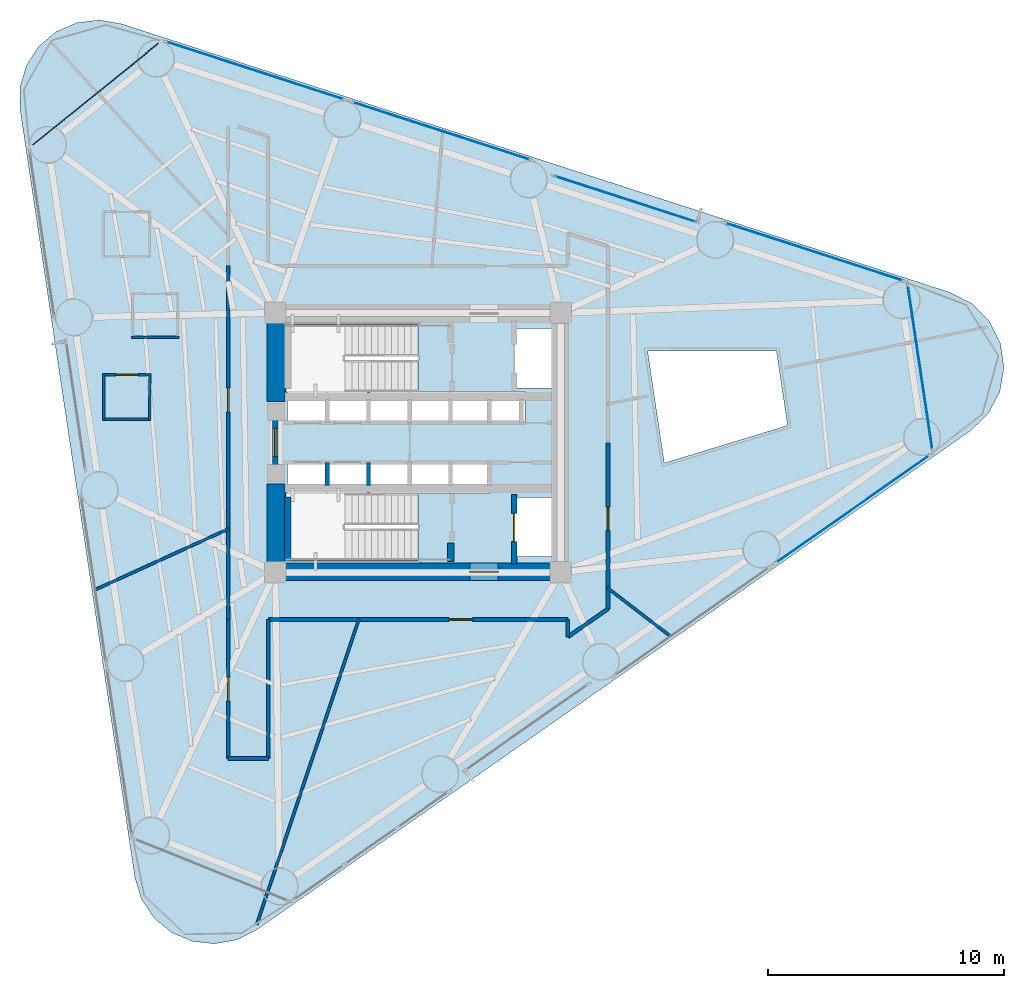
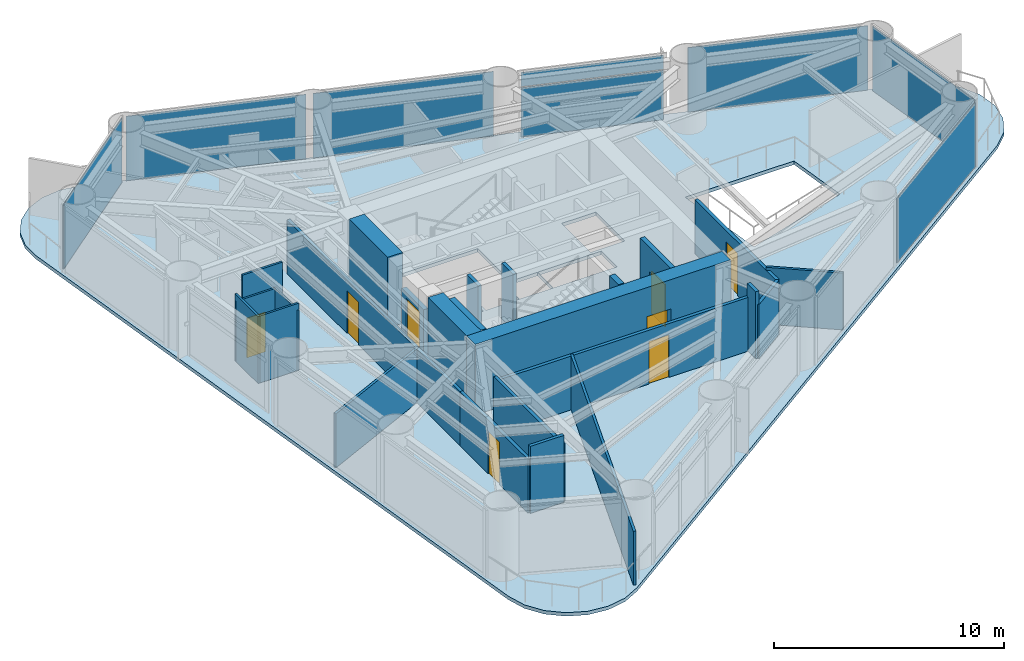
# One storey, part 5 of 9: 25 walls, 8 doors, 8 plates, 1 slab, 8 openings, 7 elements without a shape of their own.
"""IFC4 building model written with IfcOpenShell, lengths in metres."""

from ifc_helpers import new_model, si_unit, direction, frame, frame_2d, origin, origin_2d, place, context, subcontext, project, spatial, polyline, rectangle, outline, extrude, source, transform, mapped, material, layer, layer_set, type_object, element, fill, aggregate, save


model = new_model("IFC4")

# Units and contexts
model_context = context("Model", 3, precision=1e-05, world=origin(), true_north=direction((0.0, 1.0)))
body_context = subcontext(model_context, "Body", "Model", "MODEL_VIEW")
ifc_project = project(units=[si_unit("LENGTHUNIT", "METRE"), si_unit("AREAUNIT", "SQUARE_METRE"), si_unit("VOLUMEUNIT", "CUBIC_METRE"), si_unit("PLANEANGLEUNIT", "RADIAN"), si_unit("MASSUNIT", "GRAM", prefix="KILO")], contexts=[model_context])

# Site, building, storey
site_placement = place(None, origin())
site = spatial("IfcSite", under=ifc_project, at=site_placement, CompositionType="ELEMENT")
building_placement = place(site_placement, origin())
building = spatial("IfcBuilding", under=site, at=building_placement, Name="Yunling Apex Tower", CompositionType="ELEMENT")
storey_placement = place(building_placement, frame((0.0, 0.0, 62.300048828125)))
storey = spatial("IfcBuildingStorey", under=building, at=storey_placement, Name="L16", CompositionType="ELEMENT", Elevation=62.300048828125)

# Slab
ifc_material_1 = material(Name="Concrete C40", Category="concrete")
ifc_layer_1 = layer(ifc_material_1, 0.179931640625)
ifc_layer_set_1 = layer_set([ifc_layer_1], Name="Concrete C40")
slab_type = type_object("IfcSlabType", Name="SL-FLR-1", PredefinedType="FLOOR", material=ifc_layer_set_1)
slab_placement = place(storey_placement, frame((0.0, 0.0, -0.18505859375)))
element("IfcSlab", 1, at=slab_placement, inside=storey, type_object=slab_type, Name="L16 Composite Tower Floor Slab", PredefinedType="FLOOR", context=body_context, shape_type="SweptSolid", body=[
    extrude(outline(polyline([(-12.00732421875, -18.4326171875), (-11.730224609375, -19.349365234375), (-11.202392578125, -20.1484375), (-10.467529296875, -20.7626953125), (-9.587646484375, -21.14111328125), (-8.636474609375, -21.251708984375), (-7.693115234375, -21.08544921875), (-6.837158203125, -20.656005859375), (23.428955078125, 0.50537109375), (24.1796875, 1.231201171875), (24.6669921875, 2.155029296875), (24.842041015625, 3.184814453125), (24.687744140625, 4.217529296875), (24.21923828125, 5.15087890625), (23.483154296875, 5.89208984375), (22.552978515625, 6.36669921875), (-12.57763671875, 17.75439453125), (-13.521728515625, 17.914794921875), (-14.472412109375, 17.798095703125), (-15.349853515625, 17.414306640625), (-16.080810546875, 16.795166015625), (-16.603515625, 15.992919921875), (-16.875, 15.07421875), (-16.871826171875, 14.116455078125), (-12.00732421875, -18.4326171875)]), holes=[polyline([(15.192138671875, 3.88818359375), (15.6650390625, 0.723388671875), (10.442626953125, -0.865966796875), (9.733154296875, 3.88134765625), (15.192138671875, 3.88818359375)]), polyline([(5.81005859375, -2.320068359375), (5.81005859375, -4.840087890625), (4.090087890625, -4.840087890625), (4.090087890625, -2.320068359375), (5.81005859375, -2.320068359375)]), polyline([(5.81005859375, 4.840087890625), (5.81005859375, 2.320068359375), (4.090087890625, 2.320068359375), (4.090087890625, 4.840087890625), (5.81005859375, 4.840087890625)]), polyline([(4.534912109375, 0.794921875), (1.364990234375, 0.794921875), (1.364990234375, 2.1650390625), (4.534912109375, 2.1650390625), (4.534912109375, 0.794921875)]), polyline([(3.034912109375, -0.794921875), (3.034912109375, -2.1650390625), (1.364990234375, -2.1650390625), (1.364990234375, -0.794921875), (3.034912109375, -0.794921875)]), polyline([(-3.864990234375, -0.794921875), (-3.864990234375, -2.139892578125), (-3.8349609375, -2.139892578125), (-3.8349609375, -0.794921875), (-2.1650390625, -0.794921875), (-2.1650390625, -2.139892578125), (-2.034912109375, -2.139892578125), (-2.034912109375, -0.794921875), (-0.364990234375, -0.794921875), (-0.364990234375, -2.139892578125), (-0.3349609375, -2.139892578125), (-0.3349609375, -0.794921875), (1.3349609375, -0.794921875), (1.3349609375, -2.1650390625), (-0.010009765625, -2.1650390625), (-0.010009765625, -5.010009765625), (-5.60009765625, -5.010009765625), (-5.60009765625, -2.139892578125), (-5.534912109375, -2.139892578125), (-5.534912109375, -0.794921875), (-3.864990234375, -0.794921875)]), polyline([(-5.60009765625, 2.139892578125), (-5.60009765625, 5.010009765625), (-0.010009765625, 5.010009765625), (-0.010009765625, 2.1650390625), (1.3349609375, 2.1650390625), (1.3349609375, 0.794921875), (-0.3349609375, 0.794921875), (-0.3349609375, 2.139892578125), (-0.364990234375, 2.139892578125), (-0.364990234375, 0.794921875), (-2.034912109375, 0.794921875), (-2.034912109375, 2.139892578125), (-2.1650390625, 2.139892578125), (-2.1650390625, 0.794921875), (-3.8349609375, 0.794921875), (-3.8349609375, 2.139892578125), (-3.864990234375, 2.139892578125), (-3.864990234375, 0.794921875), (-5.534912109375, 0.794921875), (-5.534912109375, 2.139892578125), (-5.60009765625, 2.139892578125)])]), origin(), (0.0, 0.0, 1.0), 0.18505859375),
])

# Curtain wall, plates
ifc_material_2 = material(Name="Bronze anodised aluminium", Category="aluminium")
ifc_layer_2 = layer(ifc_material_2, 0.260009765625)
ifc_layer_set_2 = layer_set([ifc_layer_2], Name="Bronze anodised aluminium")
curtain_wall_type = type_object("IfcCurtainWallType", Name="CW-SYS-2", PredefinedType="NOTDEFINED", material=ifc_layer_set_2)
curtain_wall_1_placement = place(storey_placement, origin())
curtain_wall_1 = element("IfcCurtainWall", 2, at=curtain_wall_1_placement, inside=storey, type_object=curtain_wall_type, Name="CW-L16-F2-B2", PredefinedType="NOTDEFINED")
ifc_material_3 = material(Name="Bronze tinted low-E glass", Category="glass")
ifc_layer_3 = layer(ifc_material_3, 0.033935546875)
ifc_layer_set_3 = layer_set([ifc_layer_3], Name="Bronze tinted low-E glass")
plate_type = type_object("IfcPlateType", Name="CW-PNL-2", PredefinedType="CURTAIN_PANEL", material=ifc_layer_set_3)
shared_shape_1 = source(origin(), body_context, "Body", "SweptSolid", [
    extrude(rectangle(XDim=6.315673828125, YDim=0.033935546875, at=origin_2d()), origin(), (0.0, 0.0, 1.0), 2.60400390625),
])
plate_1_placement = place(storey_placement, frame((8.7919921875, 10.32275390625, 0.07666015625), z_axis=(0.0, 0.0, 1.0), x_axis=(-0.951272336999, 0.308351975608, 0.0)))
plate_1 = element("IfcPlate", 3, at=plate_1_placement, type_object=plate_type, Name="CW-SYS-2 panel 1.1", PredefinedType="CURTAIN_PANEL", context=body_context, shape_type="MappedRepresentation", body=[
    mapped(shared_shape_1, transform((0.0, 0.0, 0.0), scale=1.0)),
])
shared_shape_2 = source(origin(), body_context, "Body", "SweptSolid", [
    extrude(rectangle(XDim=6.315673828125, YDim=0.033935546875, at=origin_2d()), origin(), (0.0, 0.0, 1.0), 0.739013671875),
])
plate_2_placement = place(storey_placement, frame((8.7919921875, 10.32275390625, 2.7490234375), z_axis=(0.0, 0.0, 1.0), x_axis=(-0.951272336999, 0.308351975608, 0.0)))
plate_2 = element("IfcPlate", 4, at=plate_2_placement, type_object=plate_type, Name="CW-SYS-2 panel 1.2", PredefinedType="CURTAIN_PANEL", context=body_context, shape_type="MappedRepresentation", body=[
    mapped(shared_shape_2, transform((0.0, 0.0, 0.0), scale=1.0)),
])
aggregate(curtain_wall_1, [plate_1, plate_2])

# Curtain wall, plate
curtain_wall_2_placement = place(storey_placement, origin())
curtain_wall_2 = element("IfcCurtainWall", 5, at=curtain_wall_2_placement, inside=storey, type_object=curtain_wall_type, Name="CW-L16-F1-B4", PredefinedType="NOTDEFINED")
shared_shape_3 = source(origin(), body_context, "Body", "SweptSolid", [
    extrude(rectangle(XDim=7.995849609375, YDim=0.033935546875, at=origin_2d()), origin(), (0.0, 0.0, 1.0), 3.41162109375),
])
plate_3_placement = place(storey_placement, frame((18.430419921875, -2.818603515625, 0.07666015625), z_axis=(0.0, 0.0, 1.0), x_axis=(0.819552319691, 0.573004358875, 0.0)))
plate_3 = element("IfcPlate", 6, at=plate_3_placement, type_object=plate_type, Name="CW-SYS-2 panel 1.1", PredefinedType="CURTAIN_PANEL", context=body_context, shape_type="MappedRepresentation", body=[
    mapped(shared_shape_3, transform((0.0, 0.0, 0.0), scale=1.0)),
])
aggregate(curtain_wall_2, [plate_3])

curtain_wall_3_placement = place(storey_placement, origin())
curtain_wall_3 = element("IfcCurtainWall", 7, at=curtain_wall_3_placement, inside=storey, type_object=curtain_wall_type, Name="CW-L16-F2-B1", PredefinedType="NOTDEFINED")
plate_4_placement = place(storey_placement, frame((16.801025390625, 8.083984375, 0.07666015625), z_axis=(0.0, 0.0, 1.0), x_axis=(-0.951270593784, 0.30835735341, 0.0)))
plate_4 = element("IfcPlate", 8, at=plate_4_placement, type_object=plate_type, Name="CW-SYS-2 panel 1.1", PredefinedType="CURTAIN_PANEL", context=body_context, shape_type="MappedRepresentation", body=[
    mapped(shared_shape_3, transform((0.0, 0.0, 0.0), scale=1.0)),
])
aggregate(curtain_wall_3, [plate_4])

curtain_wall_4_placement = place(storey_placement, origin())
curtain_wall_4 = element("IfcCurtainWall", 9, at=curtain_wall_4_placement, inside=storey, type_object=curtain_wall_type, Name="CW-L16-F2-B3", PredefinedType="NOTDEFINED")
plate_5_placement = place(storey_placement, frame((0.9921875, 13.20849609375, 0.07666015625), z_axis=(0.0, 0.0, 1.0), x_axis=(-0.951266994272, 0.308368457544, 0.0)))
plate_5 = element("IfcPlate", 10, at=plate_5_placement, type_object=plate_type, Name="CW-SYS-2 panel 1.1", PredefinedType="CURTAIN_PANEL", context=body_context, shape_type="MappedRepresentation", body=[
    mapped(shared_shape_3, transform((0.0, 0.0, 0.0), scale=1.0)),
])
aggregate(curtain_wall_4, [plate_5])

curtain_wall_5_placement = place(storey_placement, origin())
curtain_wall_5 = element("IfcCurtainWall", 11, at=curtain_wall_5_placement, inside=storey, type_object=curtain_wall_type, Name="CW-L16-F2-B4", PredefinedType="NOTDEFINED")
plate_6_placement = place(storey_placement, frame((-6.912109375, 15.770751953125, 0.07666015625), z_axis=(0.0, 0.0, 1.0), x_axis=(-0.951270593784, 0.30835735341, 0.0)))
plate_6 = element("IfcPlate", 12, at=plate_6_placement, type_object=plate_type, Name="CW-SYS-2 panel 1.1", PredefinedType="CURTAIN_PANEL", context=body_context, shape_type="MappedRepresentation", body=[
    mapped(shared_shape_3, transform((0.0, 0.0, 0.0), scale=1.0)),
])
aggregate(curtain_wall_5, [plate_6])

curtain_wall_6_placement = place(storey_placement, origin())
curtain_wall_6 = element("IfcCurtainWall", 13, at=curtain_wall_6_placement, inside=storey, type_object=curtain_wall_type, Name="CW-L16-CRN1", PredefinedType="NOTDEFINED")
shared_shape_4 = source(origin(), body_context, "Body", "SweptSolid", [
    extrude(rectangle(XDim=7.132080078125, YDim=0.033935546875, at=origin_2d()), origin(), (0.0, 0.0, 1.0), 3.41162109375),
])
plate_7_placement = place(storey_placement, frame((21.28564453125, 3.18115234375, 0.07666015625), z_axis=(0.0, 0.0, 1.0), x_axis=(-0.147798115278, 0.989017551472, 0.0)))
plate_7 = element("IfcPlate", 14, at=plate_7_placement, type_object=plate_type, Name="CW-SYS-2 panel 1.1", PredefinedType="CURTAIN_PANEL", context=body_context, shape_type="MappedRepresentation", body=[
    mapped(shared_shape_4, transform((0.0, 0.0, 0.0), scale=1.0)),
])
aggregate(curtain_wall_6, [plate_7])

curtain_wall_7_placement = place(storey_placement, origin())
curtain_wall_7 = element("IfcCurtainWall", 15, at=curtain_wall_7_placement, inside=storey, type_object=curtain_wall_type, Name="CW-L16-CRN2", PredefinedType="NOTDEFINED")
shared_shape_5 = source(origin(), body_context, "Body", "SweptSolid", [
    extrude(rectangle(XDim=7.043212890625, YDim=0.033935546875, at=origin_2d()), origin(), (0.0, 0.0, 1.0), 3.41162109375),
])
plate_8_placement = place(storey_placement, frame((-13.67041015625, 14.772705078125, 0.07666015625), z_axis=(0.0, 0.0, 1.0), x_axis=(-0.778148820322, -0.628079941911, 0.0)))
plate_8 = element("IfcPlate", 16, at=plate_8_placement, type_object=plate_type, Name="CW-SYS-2 panel 1.1", PredefinedType="CURTAIN_PANEL", context=body_context, shape_type="MappedRepresentation", body=[
    mapped(shared_shape_5, transform((0.0, 0.0, 0.0), scale=1.0)),
])
aggregate(curtain_wall_7, [plate_8])

# Wall, opening, door
ifc_material_4 = material(Name="Concrete C60", Category="concrete")
ifc_layer_4 = layer(ifc_material_4, 0.75)
ifc_layer_set_4 = layer_set([ifc_layer_4], Name="Concrete C60")
wall_type_1 = type_object("IfcWallType", Name="WL-COR-1", PredefinedType="SHEAR", material=ifc_layer_set_4)
wall_1_placement = place(storey_placement, frame((-6.39990234375, -5.47509765625, 0.0), z_axis=(0.0, 0.0, 1.0), x_axis=(1.0, 0.0, 0.0)))
wall_1 = element("IfcWall", 17, at=wall_1_placement, inside=storey, type_object=wall_type_1, Name="L16 South Core Shear Wall", PredefinedType="SHEAR", context=body_context, shape_type="SweptSolid", body=[
    extrude(rectangle(XDim=12.7998046875, YDim=0.75, at=frame_2d((6.39990234375, 0.0))), origin(), (0.0, 0.0, 1.0), 3.75),
])
opening_1_placement = place(wall_1_placement, frame((8.60009765625, 0.0, 0.0)))
opening_1 = element("IfcOpeningElement", 18, at=opening_1_placement, cuts=wall_1, Name="Opening DR-FFL-1", PredefinedType="OPENING", context=body_context, shape_type="SweptSolid", body=[
    extrude(rectangle(XDim=1.199951171875, YDim=2.199951171875, at=frame_2d((0.60009765625, 1.10009765625))), frame((0.0, 0.385009765625, 0.0), z_axis=(0.0, -1.0, 0.0), x_axis=(1.0, 0.0, 0.0)), (0.0, 0.0, 1.0), 0.77001953125),
])
ifc_material_5 = material(Name="Steel Q355B", Category="steel")
door_type_1 = type_object("IfcDoorType", Name="DR-FFL-1", OperationType="NOTDEFINED", PredefinedType="DOOR", material=ifc_material_5)
door_1_placement = place(opening_1_placement, origin())
door_1 = element("IfcDoor", 19, at=door_1_placement, inside=storey, type_object=door_type_1, Name="L16 South Firefighting Lobby Door", OperationType="SINGLE_SWING_RIGHT", OverallHeight=2.199951171875, OverallWidth=1.199951171875, PredefinedType="DOOR", context=body_context, shape_type="SweptSolid", body=[
    extrude(rectangle(XDim=1.199951171875, YDim=2.199951171875, at=frame_2d((0.60009765625, 1.10009765625))), frame((0.0, 0.02490234375, 0.0), z_axis=(0.0, -1.0, 0.0), x_axis=(1.0, 0.0, 0.0)), (0.0, 0.0, 1.0), 0.050048828125),
])
fill(opening_1, door_1)

# Walls
for number, where, z_axis, x_axis, name in (
    (20, (-6.02490234375, -5.10009765625, 0.0), (0.0, 0.0, 1.0), (0.0, 1.0, 0.0), "L16 West-South Core Shear Wall"),
    (21, (-6.02490234375, 1.75, 0.0), (0.0, 0.0, 1.0), (0.0, 1.0, 0.0), "L16 West-North Core Shear Wall"),
):
    element("IfcWall", number, at=place(storey_placement, frame(where, z_axis=z_axis, x_axis=x_axis)), inside=storey, type_object=wall_type_1, Name=name, PredefinedType="SHEAR", context=body_context, shape_type="SweptSolid", body=[
        extrude(rectangle(XDim=3.35009765625, YDim=0.75, at=frame_2d((1.675048828125, 0.0))), origin(), (0.0, 0.0, 1.0), 3.75),
    ])
ifc_layer_5 = layer(ifc_material_1, 0.280029296875)
ifc_layer_set_5 = layer_set([ifc_layer_5], Name="Concrete C40")
wall_type_2 = type_object("IfcWallType", Name="WL-COR-8", PredefinedType="SHEAR", material=ifc_layer_set_5)
wall_2_placement = place(storey_placement, frame((-5.52001953125, -5.050048828125, 0.0), z_axis=(0.0, 0.0, 1.0), x_axis=(0.0, 1.0, 0.0)))
element("IfcWall", 22, at=wall_2_placement, inside=storey, type_object=wall_type_2, Name="L16 ST-2 West Landing Bearing Wall", PredefinedType="SHEAR", context=body_context, shape_type="SweptSolid", body=[
    extrude(rectangle(XDim=2.75, YDim=0.280029296875, at=frame_2d((1.375, 0.0))), origin(), (0.0, 0.0, 1.0), 3.75),
])
wall_3_placement = place(storey_placement, frame((1.3798828125, -5.050048828125, 0.0), z_axis=(0.0, 0.0, 1.0), x_axis=(0.0, 1.0, 0.0)))
element("IfcWall", 23, at=wall_3_placement, inside=storey, type_object=wall_type_2, Name="L16 ST-2 East Landing Bearing Pier", PredefinedType="SHEAR", context=body_context, shape_type="SweptSolid", body=[
    extrude(rectangle(XDim=0.800048828125, YDim=0.280029296875, at=frame_2d((0.39990234375, 0.0))), origin(), (0.0, 0.0, 1.0), 3.75),
])

# Wall, opening, door
ifc_material_6 = material(Name="Gypsum board acoustic partition")
ifc_layer_6 = layer(ifc_material_6, 0.159912109375)
ifc_layer_set_6 = layer_set([ifc_layer_6], Name="Gypsum board acoustic partition")
wall_type_3 = type_object("IfcWallType", Name="WL-PRT-1", PredefinedType="PARTITIONING", material=ifc_layer_set_6)
wall_4_placement = place(storey_placement, frame((-8.050048828125, -13.39990234375, 0.0), z_axis=(0.0, 0.0, 1.0), x_axis=(0.0, 1.0, 0.0)))
wall_4 = element("IfcWall", 24, at=wall_4_placement, inside=storey, type_object=wall_type_3, Name="WL-CORR-L16-01", PredefinedType="PARTITIONING", context=body_context, shape_type="SweptSolid", body=[
    extrude(rectangle(XDim=5.89990234375, YDim=0.159912109375, at=frame_2d((2.949951171875, 0.0))), origin(), (0.0, 0.0, 1.0), 2.849853515625),
])
opening_2_placement = place(wall_4_placement, frame((2.449951171875, 0.0, 0.0)))
opening_2 = element("IfcOpeningElement", 25, at=opening_2_placement, cuts=wall_4, Name="Opening DR-OFF-1", PredefinedType="OPENING", context=body_context, shape_type="SweptSolid", body=[
    extrude(rectangle(XDim=1.0, YDim=2.25, at=frame_2d((0.5, 1.125))), frame((0.0, 0.08984375, 0.0), z_axis=(0.0, -1.0, 0.0), x_axis=(1.0, 0.0, 0.0)), (0.0, 0.0, 1.0), 0.179931640625),
])
door_type_2 = type_object("IfcDoorType", Name="DR-OFF-1", OperationType="NOTDEFINED", PredefinedType="DOOR", material=ifc_material_2)
door_2_placement = place(opening_2_placement, origin())
door_2 = element("IfcDoor", 26, at=door_2_placement, inside=storey, type_object=door_type_2, Name="L16 Conference Meeting Room Door", OperationType="SINGLE_SWING_RIGHT", OverallHeight=2.25, OverallWidth=1.0, PredefinedType="DOOR", context=body_context, shape_type="SweptSolid", body=[
    extrude(rectangle(XDim=1.0, YDim=2.25, at=frame_2d((0.5, 1.125))), frame((0.0, 0.02490234375, 0.0), z_axis=(0.0, -1.0, 0.0), x_axis=(1.0, 0.0, 0.0)), (0.0, 0.0, 1.0), 0.050048828125),
])
fill(opening_2, door_2)

wall_5_placement = place(storey_placement, frame((-8.050048828125, -7.5, 0.0), z_axis=(0.0, 0.0, 1.0), x_axis=(0.0, 1.0, 0.0)))
wall_5 = element("IfcWall", 27, at=wall_5_placement, inside=storey, type_object=wall_type_3, Name="WL-CORR-L16-02", PredefinedType="PARTITIONING", context=body_context, shape_type="SweptSolid", body=[
    extrude(rectangle(XDim=15.0, YDim=0.159912109375, at=frame_2d((7.5, 0.0))), origin(), (0.0, 0.0, 1.0), 2.849853515625),
])
opening_3_placement = place(wall_5_placement, frame((8.805908203125, 0.0, 0.0)))
opening_3 = element("IfcOpeningElement", 28, at=opening_3_placement, cuts=wall_5, Name="Opening DR-OFF-1", PredefinedType="OPENING", context=body_context, shape_type="SweptSolid", body=[
    extrude(rectangle(XDim=1.0, YDim=2.25, at=frame_2d((0.5, 1.125))), frame((0.0, 0.08984375, 0.0), z_axis=(0.0, -1.0, 0.0), x_axis=(1.0, 0.0, 0.0)), (0.0, 0.0, 1.0), 0.179931640625),
])
door_3_placement = place(opening_3_placement, origin())
door_3 = element("IfcDoor", 29, at=door_3_placement, inside=storey, type_object=door_type_2, Name="L16 Service Foyer Lounge Door", OperationType="SINGLE_SWING_LEFT", OverallHeight=2.25, OverallWidth=1.0, PredefinedType="DOOR", context=body_context, shape_type="SweptSolid", body=[
    extrude(rectangle(XDim=1.0, YDim=2.25, at=frame_2d((0.5, 1.125))), frame((0.0, 0.02490234375, 0.0), z_axis=(0.0, -1.0, 0.0), x_axis=(1.0, 0.0, 0.0)), (0.0, 0.0, 1.0), 0.050048828125),
])
fill(opening_3, door_3)

wall_6_placement = place(storey_placement, frame((8.050048828125, -0.02001953125, 0.0), z_axis=(0.0, 0.0, 1.0), x_axis=(0.0, -1.0, 0.0)))
wall_6 = element("IfcWall", 30, at=wall_6_placement, inside=storey, type_object=wall_type_3, Name="WL-CORR-L16-12", PredefinedType="PARTITIONING", context=body_context, shape_type="SweptSolid", body=[
    extrude(rectangle(XDim=7.0302734375, YDim=0.159912109375, at=frame_2d((3.51513671875, 0.0))), origin(), (0.0, 0.0, 1.0), 2.849853515625),
])
opening_4_placement = place(wall_6_placement, frame((2.70458984375, 0.0, 0.0)))
opening_4 = element("IfcOpeningElement", 31, at=opening_4_placement, cuts=wall_6, Name="Opening DR-OFF-1", PredefinedType="OPENING", context=body_context, shape_type="SweptSolid", body=[
    extrude(rectangle(XDim=1.0, YDim=2.25, at=frame_2d((0.5, 1.125))), frame((0.0, 0.08984375, 0.0), z_axis=(0.0, -1.0, 0.0), x_axis=(1.0, 0.0, 0.0)), (0.0, 0.0, 1.0), 0.179931640625),
])
door_4_placement = place(opening_4_placement, origin())
door_4 = element("IfcDoor", 32, at=door_4_placement, inside=storey, type_object=door_type_2, Name="L16 Conference Meeting Room Door", OperationType="SINGLE_SWING_RIGHT", OverallHeight=2.25, OverallWidth=1.0, PredefinedType="DOOR", context=body_context, shape_type="SweptSolid", body=[
    extrude(rectangle(XDim=1.0, YDim=2.25, at=frame_2d((0.5, 1.125))), frame((0.0, 0.02490234375, 0.0), z_axis=(0.0, -1.0, 0.0), x_axis=(1.0, 0.0, 0.0)), (0.0, 0.0, 1.0), 0.050048828125),
])
fill(opening_4, door_4)

# Walls
wall_7_placement = place(storey_placement, frame((8.050048828125, -7.05029296875, 0.0), z_axis=(0.0, 0.0, 1.0), x_axis=(-0.819513816746, -0.573059424635, 0.0)))
element("IfcWall", 33, at=wall_7_placement, inside=storey, type_object=wall_type_3, Name="WL-CORR-L16-13", PredefinedType="PARTITIONING", context=body_context, shape_type="SweptSolid", body=[
    extrude(rectangle(XDim=2.074462890625, YDim=0.159912109375, at=frame_2d((1.037109375, 0.0))), origin(), (0.0, 0.0, 1.0), 2.849853515625),
])
wall_8_placement = place(storey_placement, frame((6.35009765625, -8.239013671875, 0.0), z_axis=(0.0, 0.0, 1.0), x_axis=(0.0, 1.0, 0.0)))
element("IfcWall", 34, at=wall_8_placement, inside=storey, type_object=wall_type_3, Name="WL-CORR-L16-14", PredefinedType="PARTITIONING", context=body_context, shape_type="SweptSolid", body=[
    extrude(rectangle(XDim=0.739013671875, YDim=0.159912109375, at=frame_2d((0.36962890625, 0.0))), origin(), (0.0, 0.0, 1.0), 3.544921875),
])

# Wall, opening, door
wall_9_placement = place(storey_placement, frame((6.35009765625, -7.5, 0.0), z_axis=(0.0, 0.0, 1.0), x_axis=(-1.0, 0.0, 0.0)))
wall_9 = element("IfcWall", 35, at=wall_9_placement, inside=storey, type_object=wall_type_3, Name="WL-CORR-L16-15", PredefinedType="PARTITIONING", context=body_context, shape_type="SweptSolid", body=[
    extrude(rectangle(XDim=12.7001953125, YDim=0.159912109375, at=frame_2d((6.35009765625, 0.0))), origin(), (0.0, 0.0, 1.0), 2.849853515625),
])
opening_5_placement = place(wall_9_placement, frame((4.03515625, 0.0, 0.0)))
opening_5 = element("IfcOpeningElement", 36, at=opening_5_placement, cuts=wall_9, Name="Opening DR-OFF-1", PredefinedType="OPENING", context=body_context, shape_type="SweptSolid", body=[
    extrude(rectangle(XDim=1.0, YDim=2.25, at=frame_2d((0.5, 1.125))), frame((0.0, 0.08984375, 0.0), z_axis=(0.0, -1.0, 0.0), x_axis=(1.0, 0.0, 0.0)), (0.0, 0.0, 1.0), 0.179931640625),
])
door_5_placement = place(opening_5_placement, origin())
door_5 = element("IfcDoor", 37, at=door_5_placement, inside=storey, type_object=door_type_2, Name="L16 Conference Meeting Room Door", OperationType="SINGLE_SWING_LEFT", OverallHeight=2.25, OverallWidth=1.0, PredefinedType="DOOR", context=body_context, shape_type="SweptSolid", body=[
    extrude(rectangle(XDim=1.0, YDim=2.25, at=frame_2d((0.5, 1.125))), frame((0.0, 0.02490234375, 0.0), z_axis=(0.0, -1.0, 0.0), x_axis=(1.0, 0.0, 0.0)), (0.0, 0.0, 1.0), 0.050048828125),
])
fill(opening_5, door_5)

# Walls
wall_10_placement = place(storey_placement, frame((-6.35009765625, -7.5, 0.0), z_axis=(0.0, 0.0, 1.0), x_axis=(0.0, -1.0, 0.0)))
element("IfcWall", 38, at=wall_10_placement, inside=storey, type_object=wall_type_3, Name="WL-CORR-L16-16", PredefinedType="PARTITIONING", context=body_context, shape_type="SweptSolid", body=[
    extrude(rectangle(XDim=5.89990234375, YDim=0.159912109375, at=frame_2d((2.949951171875, 0.0))), origin(), (0.0, 0.0, 1.0), 3.050048828125),
])
wall_11_placement = place(storey_placement, frame((-6.35009765625, -13.39990234375, 0.0), z_axis=(0.0, 0.0, 1.0), x_axis=(-1.0, 0.0, 0.0)))
element("IfcWall", 39, at=wall_11_placement, inside=storey, type_object=wall_type_3, Name="WL-CORR-L16-17", PredefinedType="PARTITIONING", context=body_context, shape_type="SweptSolid", body=[
    extrude(rectangle(XDim=1.699951171875, YDim=0.159912109375, at=frame_2d((0.85009765625, 0.0))), origin(), (0.0, 0.0, 1.0), 3.544921875),
])
ifc_layer_7 = layer(ifc_material_6, 0.1201171875)
ifc_layer_set_7 = layer_set([ifc_layer_7], Name="Gypsum board acoustic partition")
wall_type_4 = type_object("IfcWallType", Name="WL-PRT-3", PredefinedType="PARTITIONING", material=ifc_layer_set_7)
wall_12_placement = place(storey_placement, frame((-8.010009765625, -3.650390625, 0.0), z_axis=(0.0, 0.0, 1.0), x_axis=(-0.909955974898, -0.414704863425, 0.0)))
element("IfcWall", 40, at=wall_12_placement, inside=storey, type_object=wall_type_4, Name="WL-RAD-L16-03", PredefinedType="PARTITIONING", context=body_context, shape_type="SweptSolid", body=[
    extrude(rectangle(XDim=6.198486328125, YDim=0.1201171875, at=frame_2d((3.09912109375, 0.0))), origin(), (0.0, 0.0, 1.0), 2.849853515625),
])
wall_13_placement = place(storey_placement, frame((-2.49609375, -7.4599609375, 0.0), z_axis=(0.0, 0.0, 1.0), x_axis=(-0.317303379034, -0.948324082608, 0.0)))
element("IfcWall", 41, at=wall_13_placement, inside=storey, type_object=wall_type_4, Name="WL-RAD-L16-04", PredefinedType="PARTITIONING", context=body_context, shape_type="SweptSolid", body=[
    extrude(rectangle(XDim=13.68408203125, YDim=0.1201171875, at=frame_2d((6.842041015625, 0.0))), origin(), (0.0, 0.0, 1.0), 2.849853515625),
])
wall_14_placement = place(storey_placement, frame((8.010009765625, -6.146240234375, 0.0), z_axis=(0.0, 0.0, 1.0), x_axis=(0.79333380799, -0.608786883153, 0.0)))
element("IfcWall", 42, at=wall_14_placement, inside=storey, type_object=wall_type_4, Name="WL-RAD-L16-05", PredefinedType="PARTITIONING", context=body_context, shape_type="SweptSolid", body=[
    extrude(rectangle(XDim=3.360107421875, YDim=0.1201171875, at=frame_2d((1.68017578125, 0.0))), origin(), (0.0, 0.0, 1.0), 3.010009765625),
])

# Wall, opening, door
ifc_layer_8 = layer(ifc_material_6, 0.10009765625)
ifc_layer_set_8 = layer_set([ifc_layer_8], Name="Gypsum board acoustic partition")
wall_type_5 = type_object("IfcWallType", Name="WL-PRT-4", PredefinedType="PARTITIONING", material=ifc_layer_set_8)
wall_15_placement = place(storey_placement, frame((-13.366943359375, 2.881103515625, 0.0), z_axis=(0.0, 0.0, 1.0), x_axis=(1.0, 0.0, 0.0)))
wall_15 = element("IfcWall", 43, at=wall_15_placement, inside=storey, type_object=wall_type_5, Name="WL-L16-WCMN", PredefinedType="PARTITIONING", context=body_context, shape_type="SweptSolid", body=[
    extrude(rectangle(XDim=2.050048828125, YDim=0.10009765625, at=frame_2d((1.02490234375, 0.0))), origin(), (0.0, 0.0, 1.0), 3.199951171875),
])
opening_6_placement = place(wall_15_placement, frame((0.56494140625, 0.0, 0.0)))
opening_6 = element("IfcOpeningElement", 44, at=opening_6_placement, cuts=wall_15, Name="Opening DR-WC-1", PredefinedType="OPENING", context=body_context, shape_type="SweptSolid", body=[
    extrude(rectangle(XDim=0.919921875, YDim=2.10009765625, at=frame_2d((0.4599609375, 1.050048828125))), frame((0.0, 0.06005859375, 0.0), z_axis=(0.0, -1.0, 0.0), x_axis=(1.0, 0.0, 0.0)), (0.0, 0.0, 1.0), 0.1201171875),
])
ifc_material_7 = material(Name="Timber moisture-resistant leaf", Category="wood")
door_type_3 = type_object("IfcDoorType", Name="DR-WC-1", OperationType="NOTDEFINED", PredefinedType="DOOR", material=ifc_material_7)
door_6_placement = place(opening_6_placement, origin())
door_6 = element("IfcDoor", 45, at=door_6_placement, inside=storey, type_object=door_type_3, Name="L16 Male Toilet Door", OperationType="SINGLE_SWING_LEFT", OverallHeight=2.10009765625, OverallWidth=0.919921875, PredefinedType="DOOR", context=body_context, shape_type="SweptSolid", body=[
    extrude(rectangle(XDim=0.919921875, YDim=2.10009765625, at=frame_2d((0.4599609375, 1.050048828125))), frame((0.0, 0.02490234375, 0.0), z_axis=(0.0, -1.0, 0.0), x_axis=(1.0, 0.0, 0.0)), (0.0, 0.0, 1.0), 0.050048828125),
])
fill(opening_6, door_6)

# Walls
wall_16_placement = place(storey_placement, frame((-11.31689453125, 0.98095703125, 0.0), z_axis=(0.0, 0.0, 1.0), x_axis=(-1.0, 0.0, 0.0)))
element("IfcWall", 46, at=wall_16_placement, inside=storey, type_object=wall_type_5, Name="WL-L16-WCMS", PredefinedType="PARTITIONING", context=body_context, shape_type="SweptSolid", body=[
    extrude(rectangle(XDim=2.050048828125, YDim=0.10009765625, at=frame_2d((1.02490234375, 0.0))), origin(), (0.0, 0.0, 1.0), 3.544921875),
])
wall_17_placement = place(storey_placement, frame((-11.366943359375, 2.930908203125, 0.0), z_axis=(0.0, 0.0, 1.0), x_axis=(0.0, -1.0, 0.0)))
element("IfcWall", 47, at=wall_17_placement, inside=storey, type_object=wall_type_5, Name="WL-L16-WCME", PredefinedType="PARTITIONING", context=body_context, shape_type="SweptSolid", body=[
    extrude(rectangle(XDim=2.0, YDim=0.10009765625, at=frame_2d((1.0, 0.0))), origin(), (0.0, 0.0, 1.0), 3.199951171875),
])
wall_18_placement = place(storey_placement, frame((-13.31689453125, 0.930908203125, 0.0), z_axis=(0.0, 0.0, 1.0), x_axis=(0.0, 1.0, 0.0)))
element("IfcWall", 48, at=wall_18_placement, inside=storey, type_object=wall_type_5, Name="WL-L16-WCMW", PredefinedType="PARTITIONING", context=body_context, shape_type="SweptSolid", body=[
    extrude(rectangle(XDim=2.0, YDim=0.10009765625, at=frame_2d((1.0, 0.0))), origin(), (0.0, 0.0, 1.0), 3.544921875),
])
wall_19_placement = place(storey_placement, frame((-10.14208984375, 4.458984375, 0.0), z_axis=(0.0, 0.0, 1.0), x_axis=(-1.0, 0.0, 0.0)))
element("IfcWall", 49, at=wall_19_placement, inside=storey, type_object=wall_type_5, Name="WL-L16-WCAS", PredefinedType="PARTITIONING", context=body_context, shape_type="SweptSolid", body=[
    extrude(rectangle(XDim=2.0, YDim=0.10009765625, at=frame_2d((1.0, 0.0))), origin(), (0.0, 0.0, 1.0), 3.199951171875),
])

# Wall, opening, door
ifc_material_8 = material(Name="Autoclaved aerated concrete masonry", Category="masonry")
ifc_layer_9 = layer(ifc_material_8, 0.219970703125)
ifc_layer_set_9 = layer_set([ifc_layer_9], Name="Autoclaved aerated concrete masonry")
wall_type_6 = type_object("IfcWallType", Name="WL-SHF-1", PredefinedType="PLUMBINGWALL", material=ifc_layer_set_9)
wall_20_placement = place(storey_placement, frame((-6.050048828125, -0.949951171875, 0.0), z_axis=(0.0, 0.0, 1.0), x_axis=(0.0, 1.0, 0.0)))
wall_20 = element("IfcWall", 50, at=wall_20_placement, inside=storey, type_object=wall_type_6, Name="WL-COR-WPORT-L16", PredefinedType="PLUMBINGWALL", context=body_context, shape_type="SweptSolid", body=[
    extrude(rectangle(XDim=1.89990234375, YDim=0.219970703125, at=frame_2d((0.949951171875, 0.0))), origin(), (0.0, 0.0, 1.0), 2.52490234375),
])
opening_7_placement = place(wall_20_placement, frame((0.35009765625, 0.0, 0.0)))
opening_7 = element("IfcOpeningElement", 51, at=opening_7_placement, cuts=wall_20, Name="Opening DR-FFL-1", PredefinedType="OPENING", context=body_context, shape_type="SweptSolid", body=[
    extrude(rectangle(XDim=1.199951171875, YDim=2.199951171875, at=frame_2d((0.60009765625, 1.10009765625))), frame((0.0, 0.1201171875, 0.0), z_axis=(0.0, -1.0, 0.0), x_axis=(1.0, 0.0, 0.0)), (0.0, 0.0, 1.0), 0.239990234375),
])
door_7_placement = place(opening_7_placement, origin())
door_7 = element("IfcDoor", 52, at=door_7_placement, inside=storey, type_object=door_type_1, Name="L16 Passenger Lift Lobby Entrance Door", OperationType="SINGLE_SWING_LEFT", OverallHeight=2.199951171875, OverallWidth=1.199951171875, PredefinedType="DOOR", context=body_context, shape_type="SweptSolid", body=[
    extrude(rectangle(XDim=1.199951171875, YDim=2.199951171875, at=frame_2d((0.60009765625, 1.10009765625))), frame((0.0, 0.02490234375, 0.0), z_axis=(0.0, -1.0, 0.0), x_axis=(1.0, 0.0, 0.0)), (0.0, 0.0, 1.0), 0.050048828125),
])
fill(opening_7, door_7)

wall_21_placement = place(storey_placement, frame((4.080078125, -5.14990234375, 0.0), z_axis=(0.0, 0.0, 1.0), x_axis=(0.0, 1.0, 0.0)))
wall_21 = element("IfcWall", 53, at=wall_21_placement, inside=storey, type_object=wall_type_6, Name="WL-FFL2-W-L16", PredefinedType="PLUMBINGWALL", context=body_context, shape_type="SweptSolid", body=[
    extrude(rectangle(XDim=2.949951171875, YDim=0.219970703125, at=frame_2d((1.47509765625, 0.0))), origin(), (0.0, 0.0, 1.0), 3.544921875),
])
opening_8_placement = place(wall_21_placement, frame((0.949951171875, 0.0, 0.0)))
opening_8 = element("IfcOpeningElement", 54, at=opening_8_placement, cuts=wall_21, Name="Opening LD-FFL-1", PredefinedType="OPENING", context=body_context, shape_type="SweptSolid", body=[
    extrude(rectangle(XDim=1.199951171875, YDim=2.25, at=frame_2d((0.60009765625, 1.125))), frame((0.0, 0.1201171875, 0.0), z_axis=(0.0, -1.0, 0.0), x_axis=(1.0, 0.0, 0.0)), (0.0, 0.0, 1.0), 0.239990234375),
])
door_type_4 = type_object("IfcDoorType", Name="LD-FFL-1", OperationType="DOUBLE_DOOR_SLIDING", PredefinedType="DOOR", material=ifc_material_5)
door_8_placement = place(opening_8_placement, origin())
door_8 = element("IfcDoor", 55, at=door_8_placement, inside=storey, type_object=door_type_4, Name="L16 Lift FFL-2 Landing Door", OperationType="DOUBLE_DOOR_SLIDING", OverallHeight=2.25, OverallWidth=1.199951171875, PredefinedType="DOOR", context=body_context, shape_type="SweptSolid", body=[
    extrude(rectangle(XDim=1.199951171875, YDim=2.25, at=frame_2d((0.60009765625, 1.125))), frame((0.0, 0.02490234375, 0.0), z_axis=(0.0, -1.0, 0.0), x_axis=(1.0, 0.0, 0.0)), (0.0, 0.0, 1.0), 0.050048828125),
])
fill(opening_8, door_8)

# Walls
ifc_layer_10 = layer(ifc_material_8, 0.179931640625)
ifc_layer_set_10 = layer_set([ifc_layer_10], Name="Autoclaved aerated concrete masonry")
wall_type_7 = type_object("IfcWallType", Name="WL-SHF-2", PredefinedType="PLUMBINGWALL", material=ifc_layer_set_10)
for number, where, z_axis, x_axis, name in (
    (56, (-3.85009765625, -1.820068359375, 0.0), (0.0, 0.0, 1.0), (0.0, 1.0, 0.0), "WL-DIV-L34-L16"),
    (57, (-2.10009765625, -1.820068359375, 0.0), (0.0, 0.0, 1.0), (0.0, 1.0, 0.0), "WL-BNK-LM-S-L16"),
):
    element("IfcWall", number, at=place(storey_placement, frame(where, z_axis=z_axis, x_axis=x_axis)), inside=storey, type_object=wall_type_7, Name=name, PredefinedType="PLUMBINGWALL", context=body_context, shape_type="SweptSolid", body=[
        extrude(rectangle(XDim=0.97998046875, YDim=0.179931640625, at=frame_2d((0.489990234375, 0.0))), origin(), (0.0, 0.0, 1.0), 3.544921875),
    ])

save(model, "model.ifc")
